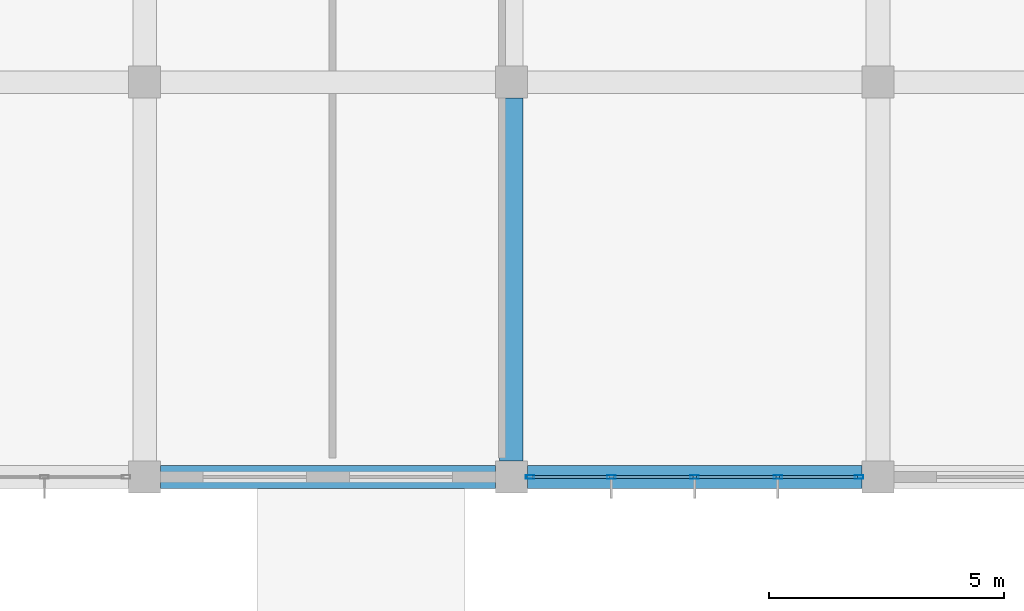
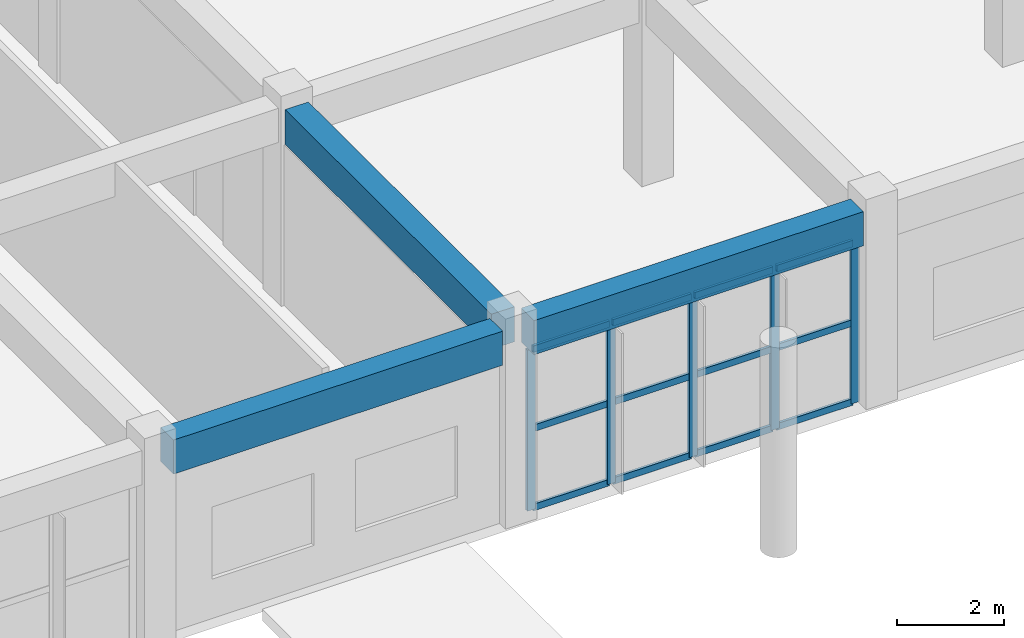
# One storey, part 92 of 175: 17 members, 3 beams, 1 element without a shape of its own.
"""IFC4 building model written with IfcOpenShell, lengths in metres."""

from ifc_helpers import new_model, si_unit, direction, frame, origin, origin_2d, place, context, subcontext, project, spatial, rectangle, hollow_rectangle, extrude, material, layer, layer_set, material_profile, profile_set, type_object, element, aggregate, save


model = new_model("IFC4")

# Units and contexts
model_context = context("Model", 3, precision=1e-05, world=origin(), true_north=direction((0.0, 1.0)))
body_context = subcontext(model_context, "Body", "Model", "MODEL_VIEW")
ifc_project = project(units=[si_unit("LENGTHUNIT", "METRE"), si_unit("AREAUNIT", "SQUARE_METRE"), si_unit("VOLUMEUNIT", "CUBIC_METRE"), si_unit("PLANEANGLEUNIT", "RADIAN"), si_unit("MASSUNIT", "GRAM", prefix="KILO")], contexts=[model_context])

# Site, building, storey
site_placement = place(None, origin())
site = spatial("IfcSite", under=ifc_project, at=site_placement, CompositionType="ELEMENT")
building_placement = place(site_placement, origin())
building = spatial("IfcBuilding", under=site, at=building_placement, Name="Zizhar Promenade General Hospital", CompositionType="ELEMENT")
storey_placement = place(building_placement, frame((0.0, 0.0, 4.800048828125)))
storey = spatial("IfcBuildingStorey", under=building, at=storey_placement, Name="L01", CompositionType="ELEMENT", Elevation=4.800048828125)

# Beams
ifc_material_1 = material(Name="Concrete C35/45", Category="concrete")
ifc_material_profile_1 = material_profile(ifc_material_1, rectangle(XDim=0.47998046875, YDim=0.780029296875, at=origin_2d()))
ifc_profile_set_1 = profile_set([ifc_material_profile_1], Name="Concrete C35/45")
beam_type_1 = type_object("IfcBeamType", Name="BM-RC-480x780", PredefinedType="BEAM", material=ifc_profile_set_1)
beam_1_placement = place(storey_placement, frame((140.739990234375, 42.0, 4.079833984375), z_axis=(1.0, 0.0, 0.0), x_axis=(0.0, 1.0, 0.0)))
element("IfcBeam", 1, at=beam_1_placement, inside=storey, type_object=beam_type_1, Name="Grid Beam X L01 (18-5)", PredefinedType="BEAM", context=body_context, shape_type="SweptSolid", body=[
    extrude(rectangle(XDim=0.47998046875, YDim=0.780029296875, at=origin_2d()), origin(), (0.0, 0.0, 1.0), 7.1201171875),
])
beam_2_placement = place(storey_placement, frame((148.5400390625, 42.0, 4.079833984375), z_axis=(1.0, 0.0, 0.0), x_axis=(0.0, 1.0, 0.0)))
element("IfcBeam", 2, at=beam_2_placement, inside=storey, type_object=beam_type_1, Name="Grid Beam X L01 (19-5)", PredefinedType="BEAM", context=body_context, shape_type="SweptSolid", body=[
    extrude(rectangle(XDim=0.47998046875, YDim=0.780029296875, at=origin_2d()), origin(), (0.0, 0.0, 1.0), 7.119873046875),
])
ifc_material_2 = material(Name="Concrete C35/45", Category="concrete")
ifc_material_profile_2 = material_profile(ifc_material_2, rectangle(XDim=0.5, YDim=0.800048828125, at=origin_2d()))
ifc_profile_set_2 = profile_set([ifc_material_profile_2], Name="Concrete C35/45")
beam_type_2 = type_object("IfcBeamType", Name="BM-RC-500x800", PredefinedType="BEAM", material=ifc_profile_set_2)
beam_3_placement = place(storey_placement, frame((148.199951171875, 42.340087890625, 4.070068359375), z_axis=(0.0, 1.0, 0.0), x_axis=(-1.0, 0.0, 0.0)))
element("IfcBeam", 3, at=beam_3_placement, inside=storey, type_object=beam_type_2, Name="Grid Beam Y L01 (19-5)", PredefinedType="BEAM", context=body_context, shape_type="SweptSolid", body=[
    extrude(rectangle(XDim=0.5, YDim=0.800048828125, at=origin_2d()), origin(), (0.0, 0.0, 1.0), 7.719970703125),
])

# Curtain wall, members
ifc_material_3 = material(Name="Anodised aluminium 6063-T6 and low-E glass", Category="aluminium")
ifc_layer = layer(ifc_material_3, 0.159912109375)
ifc_layer_set = layer_set([ifc_layer], Name="Anodised aluminium 6063-T6 and low-E glass")
curtain_wall_type = type_object("IfcCurtainWallType", Name="CW-CLN-EXT", PredefinedType="NOTDEFINED", material=ifc_layer_set)
curtain_wall_placement = place(storey_placement, origin())
curtain_wall = element("IfcCurtainWall", 4, at=curtain_wall_placement, inside=storey, type_object=curtain_wall_type, Name="Outpatient Forecourt Curtain Wall L01-19", PredefinedType="NOTDEFINED")
ifc_material_4 = material(Name="Anodised aluminium 6063-T6", Category="aluminium")
ifc_material_profile_3 = material_profile(ifc_material_4, hollow_rectangle(XDim=0.080078125, YDim=0.179931640625, WallThickness=0.0048828125, at=origin_2d()))
ifc_profile_set_3 = profile_set([ifc_material_profile_3], Name="Anodised aluminium 6063-T6")
member_type_1 = type_object("IfcMemberType", Name="CWM-ALU-180x80", PredefinedType="MULLION", material=ifc_profile_set_3)
member_1_placement = place(storey_placement, frame((155.60009765625, 42.0, 0.0), z_axis=(0.0, 0.0, 1.0), x_axis=(0.0, -1.0, 0.0)))
member_1 = element("IfcMember", 5, at=member_1_placement, type_object=member_type_1, Name="CW-09 mullion 1", PredefinedType="MULLION", context=body_context, shape_type="SweptSolid", body=[
    extrude(hollow_rectangle(XDim=0.080078125, YDim=0.179931640625, WallThickness=0.0048828125, at=origin_2d()), origin(), (0.0, 0.0, 1.0), 3.679931640625),
])
member_2_placement = place(storey_placement, frame((153.8701171875, 42.0, 0.0), z_axis=(0.0, 0.0, 1.0), x_axis=(0.0, -1.0, 0.0)))
member_2 = element("IfcMember", 6, at=member_2_placement, type_object=member_type_1, Name="CW-09 mullion 2", PredefinedType="MULLION", context=body_context, shape_type="SweptSolid", body=[
    extrude(hollow_rectangle(XDim=0.080078125, YDim=0.179931640625, WallThickness=0.0048828125, at=origin_2d()), origin(), (0.0, 0.0, 1.0), 3.679931640625),
])
member_3_placement = place(storey_placement, frame((152.10009765625, 42.0, 0.0), z_axis=(0.0, 0.0, 1.0), x_axis=(0.0, -1.0, 0.0)))
member_3 = element("IfcMember", 7, at=member_3_placement, type_object=member_type_1, Name="CW-09 mullion 3", PredefinedType="MULLION", context=body_context, shape_type="SweptSolid", body=[
    extrude(hollow_rectangle(XDim=0.080078125, YDim=0.179931640625, WallThickness=0.0048828125, at=origin_2d()), origin(), (0.0, 0.0, 1.0), 3.679931640625),
])
member_4_placement = place(storey_placement, frame((150.330078125, 42.0, 0.0), z_axis=(0.0, 0.0, 1.0), x_axis=(0.0, -1.0, 0.0)))
member_4 = element("IfcMember", 8, at=member_4_placement, type_object=member_type_1, Name="CW-09 mullion 4", PredefinedType="MULLION", context=body_context, shape_type="SweptSolid", body=[
    extrude(hollow_rectangle(XDim=0.080078125, YDim=0.179931640625, WallThickness=0.0048828125, at=origin_2d()), origin(), (0.0, 0.0, 1.0), 3.679931640625),
])
member_5_placement = place(storey_placement, frame((148.60009765625, 42.0, 0.0), z_axis=(0.0, 0.0, 1.0), x_axis=(0.0, -1.0, 0.0)))
member_5 = element("IfcMember", 9, at=member_5_placement, type_object=member_type_1, Name="CW-09 mullion 5", PredefinedType="MULLION", context=body_context, shape_type="SweptSolid", body=[
    extrude(hollow_rectangle(XDim=0.080078125, YDim=0.179931640625, WallThickness=0.0048828125, at=origin_2d()), origin(), (0.0, 0.0, 1.0), 3.679931640625),
])
ifc_material_5 = material(Name="Anodised aluminium 6063-T6", Category="aluminium")
ifc_material_profile_4 = material_profile(ifc_material_5, hollow_rectangle(XDim=0.06005859375, YDim=0.14990234375, WallThickness=0.00390625, at=origin_2d()))
ifc_profile_set_4 = profile_set([ifc_material_profile_4], Name="Anodised aluminium 6063-T6")
member_type_2 = type_object("IfcMemberType", Name="CWT-ALU-150x60", PredefinedType="USERDEFINED", material=ifc_profile_set_4)
member_6_placement = place(storey_placement, frame((155.56005859375, 42.0, 0.030029296875), z_axis=(-1.0, 0.0, 0.0), x_axis=(0.0, -1.0, 0.0)))
member_6 = element("IfcMember", 10, at=member_6_placement, type_object=member_type_2, Name="CW-09 transom 1.1", ObjectType="TRANSOM", PredefinedType="USERDEFINED", context=body_context, shape_type="SweptSolid", body=[
    extrude(hollow_rectangle(XDim=0.06005859375, YDim=0.14990234375, WallThickness=0.00390625, at=origin_2d()), origin(), (0.0, 0.0, 1.0), 1.650146484375),
])
member_7_placement = place(storey_placement, frame((155.56005859375, 42.0, 1.83984375), z_axis=(-1.0, 0.0, 0.0), x_axis=(0.0, -1.0, 0.0)))
member_7 = element("IfcMember", 11, at=member_7_placement, type_object=member_type_2, Name="CW-09 transom 1.2", ObjectType="TRANSOM", PredefinedType="USERDEFINED", context=body_context, shape_type="SweptSolid", body=[
    extrude(hollow_rectangle(XDim=0.06005859375, YDim=0.14990234375, WallThickness=0.00390625, at=origin_2d()), origin(), (0.0, 0.0, 1.0), 1.650146484375),
])
member_8_placement = place(storey_placement, frame((155.56005859375, 42.0, 3.64990234375), z_axis=(-1.0, 0.0, 0.0), x_axis=(0.0, -1.0, 0.0)))
member_8 = element("IfcMember", 12, at=member_8_placement, type_object=member_type_2, Name="CW-09 transom 1.3", ObjectType="TRANSOM", PredefinedType="USERDEFINED", context=body_context, shape_type="SweptSolid", body=[
    extrude(hollow_rectangle(XDim=0.06005859375, YDim=0.14990234375, WallThickness=0.00390625, at=origin_2d()), origin(), (0.0, 0.0, 1.0), 1.650146484375),
])
member_9_placement = place(storey_placement, frame((153.830078125, 42.0, 0.030029296875), z_axis=(-1.0, 0.0, 0.0), x_axis=(0.0, -1.0, 0.0)))
member_9 = element("IfcMember", 13, at=member_9_placement, type_object=member_type_2, Name="CW-09 transom 2.1", ObjectType="TRANSOM", PredefinedType="USERDEFINED", context=body_context, shape_type="SweptSolid", body=[
    extrude(hollow_rectangle(XDim=0.06005859375, YDim=0.14990234375, WallThickness=0.00390625, at=origin_2d()), origin(), (0.0, 0.0, 1.0), 1.690185546875),
])
member_10_placement = place(storey_placement, frame((153.830078125, 42.0, 1.83984375), z_axis=(-1.0, 0.0, 0.0), x_axis=(0.0, -1.0, 0.0)))
member_10 = element("IfcMember", 14, at=member_10_placement, type_object=member_type_2, Name="CW-09 transom 2.2", ObjectType="TRANSOM", PredefinedType="USERDEFINED", context=body_context, shape_type="SweptSolid", body=[
    extrude(hollow_rectangle(XDim=0.06005859375, YDim=0.14990234375, WallThickness=0.00390625, at=origin_2d()), origin(), (0.0, 0.0, 1.0), 1.690185546875),
])
member_11_placement = place(storey_placement, frame((153.830078125, 42.0, 3.64990234375), z_axis=(-1.0, 0.0, 0.0), x_axis=(0.0, -1.0, 0.0)))
member_11 = element("IfcMember", 15, at=member_11_placement, type_object=member_type_2, Name="CW-09 transom 2.3", ObjectType="TRANSOM", PredefinedType="USERDEFINED", context=body_context, shape_type="SweptSolid", body=[
    extrude(hollow_rectangle(XDim=0.06005859375, YDim=0.14990234375, WallThickness=0.00390625, at=origin_2d()), origin(), (0.0, 0.0, 1.0), 1.690185546875),
])
member_12_placement = place(storey_placement, frame((152.06005859375, 42.0, 0.030029296875), z_axis=(-1.0, 0.0, 0.0), x_axis=(0.0, -1.0, 0.0)))
member_12 = element("IfcMember", 16, at=member_12_placement, type_object=member_type_2, Name="CW-09 transom 3.1", ObjectType="TRANSOM", PredefinedType="USERDEFINED", context=body_context, shape_type="SweptSolid", body=[
    extrude(hollow_rectangle(XDim=0.06005859375, YDim=0.14990234375, WallThickness=0.00390625, at=origin_2d()), origin(), (0.0, 0.0, 1.0), 1.68994140625),
])
member_13_placement = place(storey_placement, frame((152.06005859375, 42.0, 1.83984375), z_axis=(-1.0, 0.0, 0.0), x_axis=(0.0, -1.0, 0.0)))
member_13 = element("IfcMember", 17, at=member_13_placement, type_object=member_type_2, Name="CW-09 transom 3.2", ObjectType="TRANSOM", PredefinedType="USERDEFINED", context=body_context, shape_type="SweptSolid", body=[
    extrude(hollow_rectangle(XDim=0.06005859375, YDim=0.14990234375, WallThickness=0.00390625, at=origin_2d()), origin(), (0.0, 0.0, 1.0), 1.68994140625),
])
member_14_placement = place(storey_placement, frame((152.06005859375, 42.0, 3.64990234375), z_axis=(-1.0, 0.0, 0.0), x_axis=(0.0, -1.0, 0.0)))
member_14 = element("IfcMember", 18, at=member_14_placement, type_object=member_type_2, Name="CW-09 transom 3.3", ObjectType="TRANSOM", PredefinedType="USERDEFINED", context=body_context, shape_type="SweptSolid", body=[
    extrude(hollow_rectangle(XDim=0.06005859375, YDim=0.14990234375, WallThickness=0.00390625, at=origin_2d()), origin(), (0.0, 0.0, 1.0), 1.68994140625),
])
member_15_placement = place(storey_placement, frame((150.2900390625, 42.0, 0.030029296875), z_axis=(-1.0, 0.0, 0.0), x_axis=(0.0, -1.0, 0.0)))
member_15 = element("IfcMember", 19, at=member_15_placement, type_object=member_type_2, Name="CW-09 transom 4.1", ObjectType="TRANSOM", PredefinedType="USERDEFINED", context=body_context, shape_type="SweptSolid", body=[
    extrude(hollow_rectangle(XDim=0.06005859375, YDim=0.14990234375, WallThickness=0.00390625, at=origin_2d()), origin(), (0.0, 0.0, 1.0), 1.650146484375),
])
member_16_placement = place(storey_placement, frame((150.2900390625, 42.0, 1.83984375), z_axis=(-1.0, 0.0, 0.0), x_axis=(0.0, -1.0, 0.0)))
member_16 = element("IfcMember", 20, at=member_16_placement, type_object=member_type_2, Name="CW-09 transom 4.2", ObjectType="TRANSOM", PredefinedType="USERDEFINED", context=body_context, shape_type="SweptSolid", body=[
    extrude(hollow_rectangle(XDim=0.06005859375, YDim=0.14990234375, WallThickness=0.00390625, at=origin_2d()), origin(), (0.0, 0.0, 1.0), 1.650146484375),
])
member_17_placement = place(storey_placement, frame((150.2900390625, 42.0, 3.64990234375), z_axis=(-1.0, 0.0, 0.0), x_axis=(0.0, -1.0, 0.0)))
member_17 = element("IfcMember", 21, at=member_17_placement, type_object=member_type_2, Name="CW-09 transom 4.3", ObjectType="TRANSOM", PredefinedType="USERDEFINED", context=body_context, shape_type="SweptSolid", body=[
    extrude(hollow_rectangle(XDim=0.06005859375, YDim=0.14990234375, WallThickness=0.00390625, at=origin_2d()), origin(), (0.0, 0.0, 1.0), 1.650146484375),
])
aggregate(curtain_wall, [member_1, member_2, member_3, member_4, member_5, member_6, member_7, member_8, member_9, member_10, member_11, member_12, member_13, member_14, member_15, member_16, member_17])

save(model, "model.ifc")
